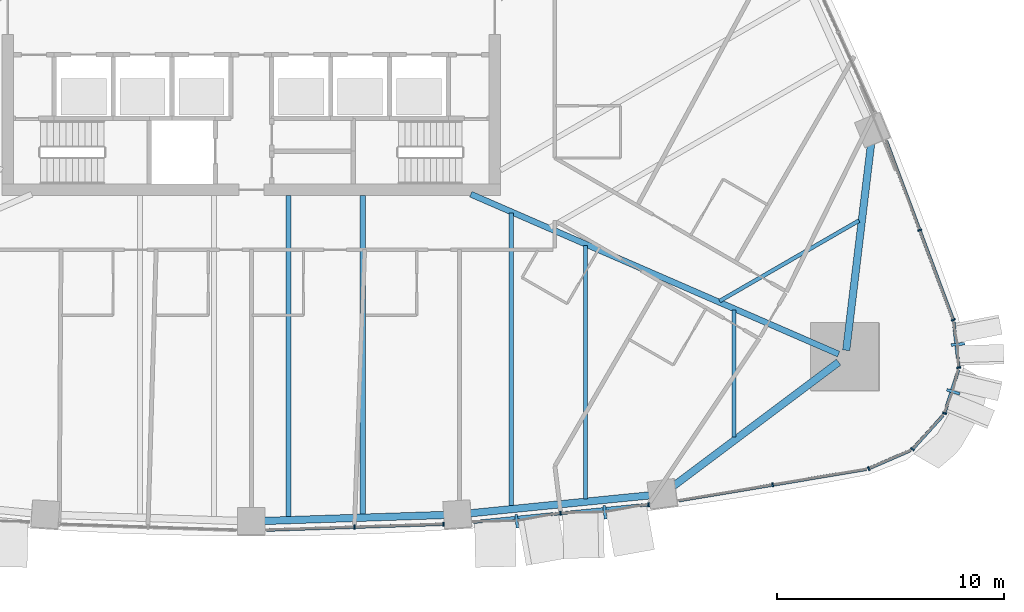
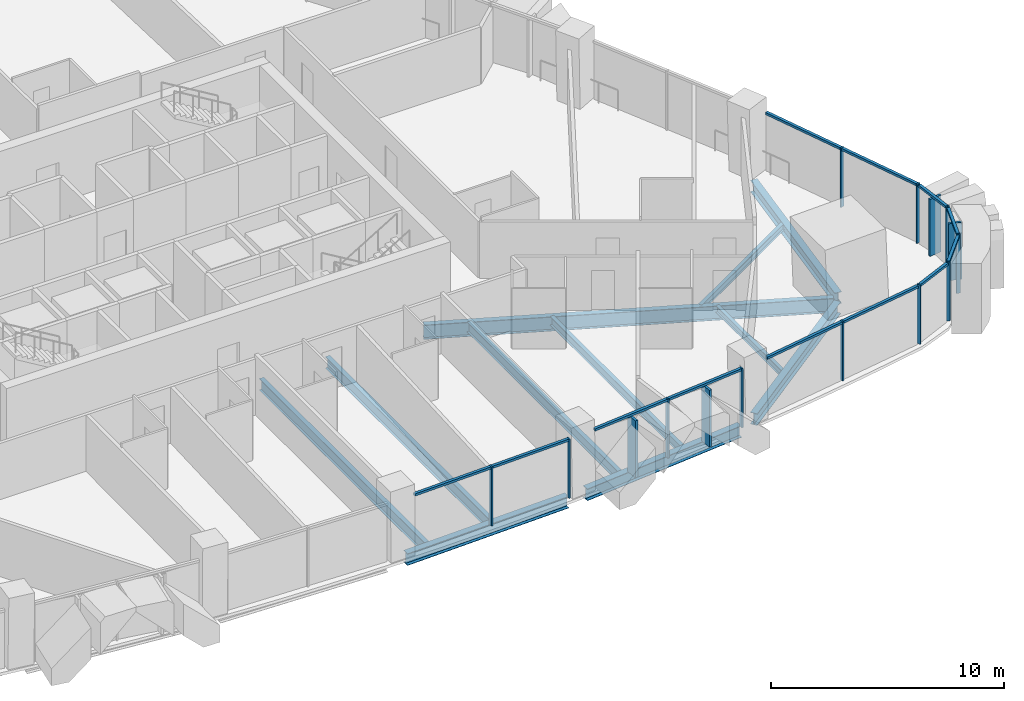
# One storey, part 4 of 18: 27 members, 11 beams, 8 elements without a shape of their own.
"""IFC4 building model written with IfcOpenShell, lengths in metres."""

from ifc_helpers import new_model, si_unit, direction, frame, origin, origin_2d, place, context, subcontext, project, spatial, rectangle, i_section, extrude, material, layer, layer_set, material_profile, profile_set, type_object, element, aggregate, save


model = new_model("IFC4")

# Units and contexts
model_context = context("Model", 3, precision=1e-05, world=origin(), true_north=direction((0.0, 1.0)))
body_context = subcontext(model_context, "Body", "Model", "MODEL_VIEW")
ifc_project = project(units=[si_unit("LENGTHUNIT", "METRE"), si_unit("AREAUNIT", "SQUARE_METRE"), si_unit("VOLUMEUNIT", "CUBIC_METRE"), si_unit("PLANEANGLEUNIT", "RADIAN"), si_unit("MASSUNIT", "GRAM", prefix="KILO")], contexts=[model_context])

# Site, building, storey
site_placement = place(None, origin())
site = spatial("IfcSite", under=ifc_project, at=site_placement, CompositionType="ELEMENT")
building_placement = place(site_placement, origin())
building = spatial("IfcBuilding", under=site, at=building_placement, Name="Sierra Prisma Convention Tower", CompositionType="ELEMENT")
storey_placement = place(building_placement, frame((0.0, 0.0, 81.300048828125)))
storey = spatial("IfcBuildingStorey", under=building, at=storey_placement, Name="L16", CompositionType="ELEMENT", Elevation=81.300048828125)

# Curtain wall, members
ifc_material_1 = material(Name="Aluminium and glass curtain wall", Category="aluminium")
ifc_layer_1 = layer(ifc_material_1, 0.179931640625)
ifc_layer_set_1 = layer_set([ifc_layer_1], Name="CW-2 Faceted crystal curtain wall")
curtain_wall_type_1 = type_object("IfcCurtainWallType", Name="CW-2 Faceted crystal curtain wall", PredefinedType="NOTDEFINED", material=ifc_layer_set_1)
curtain_wall_1_placement = place(storey_placement, origin())
curtain_wall_1 = element("IfcCurtainWall", 1, at=curtain_wall_1_placement, inside=storey, type_object=curtain_wall_type_1, Name="CW-2 S5 L16", PredefinedType="NOTDEFINED")
ifc_material_2 = material(Name="Aluminium 6063-T6 bronze anodised", Category="aluminium")
ifc_material_profile_1 = material_profile(ifc_material_2, rectangle(XDim=0.1201171875, YDim=0.60009765625, at=origin_2d()), Name="ALU RIDGE BLADE 120x600")
ifc_profile_set_1 = profile_set([ifc_material_profile_1], Name="Aluminium 6063-T6 bronze anodised")
member_type_1 = type_object("IfcMemberType", Name="CW hip bronze", PredefinedType="MULLION", material=ifc_profile_set_1)
member_1_placement = place(storey_placement, frame((11.717529296875, -22.38330078125, 0.0), z_axis=(0.0, 0.0, 1.0), x_axis=(0.995057706085, 0.099298346218, 0.0)))
member_1 = element("IfcMember", 2, at=member_1_placement, type_object=member_type_1, Name="CW-2 ridge S5.1", PredefinedType="MULLION", context=body_context, shape_type="SweptSolid", body=[
    extrude(rectangle(XDim=0.1201171875, YDim=0.60009765625, at=origin_2d()), origin(), (0.0, 0.0, 1.0), 2.97998046875),
])
member_2_placement = place(storey_placement, frame((15.606201171875, -21.995361328125, 0.0), z_axis=(0.0, 0.0, 1.0), x_axis=(0.995057706085, 0.099298346218, 0.0)))
member_2 = element("IfcMember", 3, at=member_2_placement, type_object=member_type_1, Name="CW-2 ridge S5.2", PredefinedType="MULLION", context=body_context, shape_type="SweptSolid", body=[
    extrude(rectangle(XDim=0.1201171875, YDim=0.60009765625, at=origin_2d()), origin(), (0.0, 0.0, 1.0), 2.97998046875),
])

# Curtain wall, member
curtain_wall_2_placement = place(storey_placement, origin())
curtain_wall_2 = element("IfcCurtainWall", 4, at=curtain_wall_2_placement, inside=storey, type_object=curtain_wall_type_1, Name="CW-2 SE3 L16", PredefinedType="NOTDEFINED")
member_3_placement = place(storey_placement, frame((30.98388671875, -16.673095703125, 0.0), z_axis=(0.0, 0.0, 1.0), x_axis=(0.30651584087, 0.951865557364, 0.0)))
member_3 = element("IfcMember", 5, at=member_3_placement, type_object=member_type_1, Name="CW-2 ridge SE3.1", PredefinedType="MULLION", context=body_context, shape_type="SweptSolid", body=[
    extrude(rectangle(XDim=0.1201171875, YDim=0.60009765625, at=origin_2d()), origin(), (0.0, 0.0, 1.0), 2.97998046875),
])

curtain_wall_3_placement = place(storey_placement, origin())
curtain_wall_3 = element("IfcCurtainWall", 6, at=curtain_wall_3_placement, inside=storey, type_object=curtain_wall_type_1, Name="CW-2 SE4 L16", PredefinedType="NOTDEFINED")
member_4_placement = place(storey_placement, frame((31.19287109375, -14.578369140625, 0.0), z_axis=(0.0, 0.0, 1.0), x_axis=(-0.11236817626, 0.993666640762, 0.0)))
member_4 = element("IfcMember", 7, at=member_4_placement, type_object=member_type_1, Name="CW-2 ridge SE4.1", PredefinedType="MULLION", context=body_context, shape_type="SweptSolid", body=[
    extrude(rectangle(XDim=0.1201171875, YDim=0.60009765625, at=origin_2d()), origin(), (0.0, 0.0, 1.0), 2.97998046875),
])

# Curtain wall, members
ifc_material_3 = material(Name="Aluminium and glass curtain wall", Category="aluminium")
ifc_layer_2 = layer(ifc_material_3, 0.179931640625)
ifc_layer_set_2 = layer_set([ifc_layer_2], Name="CW-1 Plain shaft curtain wall")
curtain_wall_type_2 = type_object("IfcCurtainWallType", Name="CW-1 Plain shaft curtain wall", PredefinedType="NOTDEFINED", material=ifc_layer_set_2)
curtain_wall_4_placement = place(storey_placement, origin())
curtain_wall_4 = element("IfcCurtainWall", 8, at=curtain_wall_4_placement, inside=storey, type_object=curtain_wall_type_2, Name="CW-1 S4 L16", PredefinedType="NOTDEFINED")
ifc_material_4 = material(Name="Aluminium 6063-T6 bronze anodised", Category="aluminium")
ifc_material_profile_2 = material_profile(ifc_material_4, rectangle(XDim=0.179931640625, YDim=0.070068359375, at=origin_2d()), Name="ALU MULLION 70x180")
ifc_profile_set_2 = profile_set([ifc_material_profile_2], Name="Aluminium 6063-T6 bronze anodised")
member_type_2 = type_object("IfcMemberType", Name="CW mullion bronze", PredefinedType="MULLION", material=ifc_profile_set_2)
member_5_placement = place(storey_placement, frame((4.556640625, -22.641845703125, 0.0), z_axis=(0.0, 0.0, 1.0), x_axis=(-0.033148012377, 0.999450453637, 0.0)))
member_5 = element("IfcMember", 9, at=member_5_placement, type_object=member_type_2, Name="CW-1 mullion S4.2", PredefinedType="MULLION", context=body_context, shape_type="SweptSolid", body=[
    extrude(rectangle(XDim=0.179931640625, YDim=0.070068359375, at=origin_2d()), origin(), (0.0, 0.0, 1.0), 3.099853515625),
])
member_6_placement = place(storey_placement, frame((8.478759765625, -22.51171875, 0.0), z_axis=(0.0, 0.0, 1.0), x_axis=(-0.033148012377, 0.999450453637, 0.0)))
member_6 = element("IfcMember", 10, at=member_6_placement, type_object=member_type_2, Name="CW-1 mullion S4.3", PredefinedType="MULLION", context=body_context, shape_type="SweptSolid", body=[
    extrude(rectangle(XDim=0.179931640625, YDim=0.070068359375, at=origin_2d()), origin(), (0.0, 0.0, 1.0), 3.099853515625),
])

# Member
member_7_placement = place(storey_placement, frame((13.64697265625, -22.0390625, 0.0), z_axis=(0.0, 0.0, 1.0), x_axis=(-0.099298346218, 0.995057706085, 0.0)))
member_7 = element("IfcMember", 11, at=member_7_placement, type_object=member_type_2, Name="CW-1 mullion S5.2", PredefinedType="MULLION", context=body_context, shape_type="SweptSolid", body=[
    extrude(rectangle(XDim=0.179931640625, YDim=0.070068359375, at=origin_2d()), origin(), (0.0, 0.0, 1.0), 3.099853515625),
])

member_8_placement = place(storey_placement, frame((17.53564453125, -21.651123046875, 0.0), z_axis=(0.0, 0.0, 1.0), x_axis=(-0.099298346218, 0.995057706085, 0.0)))
member_8 = element("IfcMember", 12, at=member_8_placement, type_object=member_type_2, Name="CW-1 mullion S5.3", PredefinedType="MULLION", context=body_context, shape_type="SweptSolid", body=[
    extrude(rectangle(XDim=0.179931640625, YDim=0.070068359375, at=origin_2d()), origin(), (0.0, 0.0, 1.0), 3.099853515625),
])

# Curtain wall, member
curtain_wall_5_placement = place(storey_placement, origin())
curtain_wall_5 = element("IfcCurtainWall", 13, at=curtain_wall_5_placement, inside=storey, type_object=curtain_wall_type_2, Name="CW-1 S6 L16", PredefinedType="NOTDEFINED")
member_9_placement = place(storey_placement, frame((23.011474609375, -20.780517578125, 0.0), z_axis=(0.0, 0.0, 1.0), x_axis=(-0.165012247652, 0.986291517821, 0.0)))
member_9 = element("IfcMember", 14, at=member_9_placement, type_object=member_type_2, Name="CW-1 mullion S6.2", PredefinedType="MULLION", context=body_context, shape_type="SweptSolid", body=[
    extrude(rectangle(XDim=0.179931640625, YDim=0.070068359375, at=origin_2d()), origin(), (0.0, 0.0, 1.0), 3.099853515625),
])

curtain_wall_6_placement = place(storey_placement, origin())
curtain_wall_6 = element("IfcCurtainWall", 15, at=curtain_wall_6_placement, inside=storey, type_object=curtain_wall_type_2, Name="CW-1 SE1 L16", PredefinedType="NOTDEFINED")
member_10_placement = place(storey_placement, frame((27.2509765625, -20.062744140625, 0.0), z_axis=(0.0, 0.0, 1.0), x_axis=(-0.399519625163, 0.916724641924, 0.0)))
member_10 = element("IfcMember", 16, at=member_10_placement, type_object=member_type_2, Name="CW-1 mullion SE1.1", PredefinedType="MULLION", context=body_context, shape_type="SweptSolid", body=[
    extrude(rectangle(XDim=0.179931640625, YDim=0.070068359375, at=origin_2d()), origin(), (0.0, 0.0, 1.0), 3.099853515625),
])

curtain_wall_7_placement = place(storey_placement, origin())
curtain_wall_7 = element("IfcCurtainWall", 17, at=curtain_wall_7_placement, inside=storey, type_object=curtain_wall_type_2, Name="CW-1 SE2 L16", PredefinedType="NOTDEFINED")
member_11_placement = place(storey_placement, frame((29.185546875, -19.203857421875, 0.0), z_axis=(0.0, 0.0, 1.0), x_axis=(-0.741383283538, 0.67108183323, 0.0)))
member_11 = element("IfcMember", 18, at=member_11_placement, type_object=member_type_2, Name="CW-1 mullion SE2.1", PredefinedType="MULLION", context=body_context, shape_type="SweptSolid", body=[
    extrude(rectangle(XDim=0.179931640625, YDim=0.070068359375, at=origin_2d()), origin(), (0.0, 0.0, 1.0), 3.099853515625),
])

# Member
member_12_placement = place(storey_placement, frame((30.595458984375, -17.624755859375, 0.0), z_axis=(0.0, 0.0, 1.0), x_axis=(-0.951865557364, 0.30651584087, 0.0)))
member_12 = element("IfcMember", 19, at=member_12_placement, type_object=member_type_2, Name="CW-1 mullion SE3.1", PredefinedType="MULLION", context=body_context, shape_type="SweptSolid", body=[
    extrude(rectangle(XDim=0.179931640625, YDim=0.070068359375, at=origin_2d()), origin(), (0.0, 0.0, 1.0), 3.099853515625),
])

member_13_placement = place(storey_placement, frame((31.23046875, -15.60546875, 0.0), z_axis=(0.0, 0.0, 1.0), x_axis=(-0.993666640762, -0.11236817626, 0.0)))
member_13 = element("IfcMember", 20, at=member_13_placement, type_object=member_type_2, Name="CW-1 mullion SE4.1", PredefinedType="MULLION", context=body_context, shape_type="SweptSolid", body=[
    extrude(rectangle(XDim=0.179931640625, YDim=0.070068359375, at=origin_2d()), origin(), (0.0, 0.0, 1.0), 3.099853515625),
])

# Curtain wall, members
curtain_wall_8_placement = place(storey_placement, origin())
curtain_wall_8 = element("IfcCurtainWall", 21, at=curtain_wall_8_placement, inside=storey, type_object=curtain_wall_type_2, Name="CW-1 NE1 L16", PredefinedType="NOTDEFINED")
member_14_placement = place(storey_placement, frame((30.984130859375, -13.5009765625, 0.0), z_axis=(0.0, 0.0, 1.0), x_axis=(-0.936659633796, -0.350240960509, 0.0)))
member_14 = element("IfcMember", 22, at=member_14_placement, type_object=member_type_2, Name="CW-1 mullion NE1.1", PredefinedType="MULLION", context=body_context, shape_type="SweptSolid", body=[
    extrude(rectangle(XDim=0.179931640625, YDim=0.070068359375, at=origin_2d()), origin(), (0.0, 0.0, 1.0), 3.099853515625),
])
member_15_placement = place(storey_placement, frame((29.502197265625, -9.538330078125, 0.0), z_axis=(0.0, 0.0, 1.0), x_axis=(-0.936659633796, -0.350240960509, 0.0)))
member_15 = element("IfcMember", 23, at=member_15_placement, type_object=member_type_2, Name="CW-1 mullion NE1.2", PredefinedType="MULLION", context=body_context, shape_type="SweptSolid", body=[
    extrude(rectangle(XDim=0.179931640625, YDim=0.070068359375, at=origin_2d()), origin(), (0.0, 0.0, 1.0), 3.099853515625),
])

# Member
ifc_material_5 = material(Name="Aluminium 6063-T6 bronze anodised", Category="aluminium")
ifc_material_profile_3 = material_profile(ifc_material_5, rectangle(XDim=0.139892578125, YDim=0.1201171875, at=origin_2d()), Name="ALU TRANSOM 120x140")
ifc_profile_set_3 = profile_set([ifc_material_profile_3], Name="Aluminium 6063-T6 bronze anodised")
member_type_3 = type_object("IfcMemberType", Name="CW transom bronze", PredefinedType="USERDEFINED", material=ifc_profile_set_3)
member_16_placement = place(storey_placement, frame((0.669677734375, -22.770751953125, 3.0400390625), z_axis=(0.999448977161, 0.033192499939, 0.0), x_axis=(-0.033192499939, 0.999448977161, 0.0)))
member_16 = element("IfcMember", 24, at=member_16_placement, type_object=member_type_3, Name="CW-1 transom S4.1", ObjectType="TRANSOM", PredefinedType="USERDEFINED", context=body_context, shape_type="SweptSolid", body=[
    extrude(rectangle(XDim=0.139892578125, YDim=0.1201171875, at=origin_2d()), origin(), (0.0, 0.0, 1.0), 3.854248046875),
])

member_17_placement = place(storey_placement, frame((4.591796875, -22.640625, 3.0400390625), z_axis=(0.999448977161, 0.033192499939, 0.0), x_axis=(-0.033192499939, 0.999448977161, 0.0)))
member_17 = element("IfcMember", 25, at=member_17_placement, type_object=member_type_3, Name="CW-1 transom S4.2", ObjectType="TRANSOM", PredefinedType="USERDEFINED", context=body_context, shape_type="SweptSolid", body=[
    extrude(rectangle(XDim=0.139892578125, YDim=0.1201171875, at=origin_2d()), origin(), (0.0, 0.0, 1.0), 3.854248046875),
])

aggregate(curtain_wall_4, [member_5, member_6, member_16, member_17])

member_18_placement = place(storey_placement, frame((9.79296875, -22.423583984375, 3.0400390625), z_axis=(0.99505795211, 0.099295880793, 0.0), x_axis=(-0.099295880793, 0.99505795211, 0.0)))
member_18 = element("IfcMember", 26, at=member_18_placement, type_object=member_type_3, Name="CW-1 transom S5.1", ObjectType="TRANSOM", PredefinedType="USERDEFINED", context=body_context, shape_type="SweptSolid", body=[
    extrude(rectangle(XDim=0.139892578125, YDim=0.1201171875, at=origin_2d()), origin(), (0.0, 0.0, 1.0), 3.838134765625),
])

member_19_placement = place(storey_placement, frame((13.681640625, -22.03564453125, 3.0400390625), z_axis=(0.99505795211, 0.099295880793, 0.0), x_axis=(-0.099295880793, 0.99505795211, 0.0)))
member_19 = element("IfcMember", 27, at=member_19_placement, type_object=member_type_3, Name="CW-1 transom S5.2", ObjectType="TRANSOM", PredefinedType="USERDEFINED", context=body_context, shape_type="SweptSolid", body=[
    extrude(rectangle(XDim=0.139892578125, YDim=0.1201171875, at=origin_2d()), origin(), (0.0, 0.0, 1.0), 3.838134765625),
])

aggregate(curtain_wall_1, [member_7, member_8, member_18, member_1, member_19, member_2])

member_20_placement = place(storey_placement, frame((18.87353515625, -21.472900390625, 3.0400390625), z_axis=(0.986292235416, 0.165007958471, 0.0), x_axis=(-0.165007958471, 0.986292235416, 0.0)))
member_20 = element("IfcMember", 28, at=member_20_placement, type_object=member_type_3, Name="CW-1 transom S6.1", ObjectType="TRANSOM", PredefinedType="USERDEFINED", context=body_context, shape_type="SweptSolid", body=[
    extrude(rectangle(XDim=0.139892578125, YDim=0.1201171875, at=origin_2d()), origin(), (0.0, 0.0, 1.0), 4.16064453125),
])

member_21_placement = place(storey_placement, frame((23.046142578125, -20.774658203125, 3.0400390625), z_axis=(0.986292235416, 0.165007958471, 0.0), x_axis=(-0.165007958471, 0.986292235416, 0.0)))
member_21 = element("IfcMember", 29, at=member_21_placement, type_object=member_type_3, Name="CW-1 transom S6.2", ObjectType="TRANSOM", PredefinedType="USERDEFINED", context=body_context, shape_type="SweptSolid", body=[
    extrude(rectangle(XDim=0.139892578125, YDim=0.1201171875, at=origin_2d()), origin(), (0.0, 0.0, 1.0), 4.16064453125),
])

aggregate(curtain_wall_5, [member_9, member_20, member_21])

member_22_placement = place(storey_placement, frame((27.282958984375, -20.048583984375, 3.0400390625), z_axis=(0.916761972761, 0.399433956117, 0.0), x_axis=(-0.399433956117, 0.916761972761, 0.0)))
member_22 = element("IfcMember", 30, at=member_22_placement, type_object=member_type_3, Name="CW-1 transom SE1.1", ObjectType="TRANSOM", PredefinedType="USERDEFINED", context=body_context, shape_type="SweptSolid", body=[
    extrude(rectangle(XDim=0.139892578125, YDim=0.1201171875, at=origin_2d()), origin(), (0.0, 0.0, 1.0), 1.979736328125),
])

aggregate(curtain_wall_6, [member_10, member_22])

member_23_placement = place(storey_placement, frame((29.208984375, -19.177734375, 3.0400390625), z_axis=(0.671155441819, 0.741316648212, 0.0), x_axis=(-0.741316648212, 0.671155441819, 0.0)))
member_23 = element("IfcMember", 31, at=member_23_placement, type_object=member_type_3, Name="CW-1 transom SE2.1", ObjectType="TRANSOM", PredefinedType="USERDEFINED", context=body_context, shape_type="SweptSolid", body=[
    extrude(rectangle(XDim=0.139892578125, YDim=0.1201171875, at=origin_2d()), origin(), (0.0, 0.0, 1.0), 1.97998046875),
])

aggregate(curtain_wall_7, [member_11, member_23])

member_24_placement = place(storey_placement, frame((30.606201171875, -17.591552734375, 3.0400390625), z_axis=(0.306555983642, 0.951852629819, 0.0), x_axis=(-0.951852629819, 0.306555983642, 0.0)))
member_24 = element("IfcMember", 32, at=member_24_placement, type_object=member_type_3, Name="CW-1 transom SE3.1", ObjectType="TRANSOM", PredefinedType="USERDEFINED", context=body_context, shape_type="SweptSolid", body=[
    extrude(rectangle(XDim=0.139892578125, YDim=0.1201171875, at=origin_2d()), origin(), (0.0, 0.0, 1.0), 1.979736328125),
])

aggregate(curtain_wall_2, [member_12, member_24, member_3])

member_25_placement = place(storey_placement, frame((31.2265625, -15.57080078125, 3.0400390625), z_axis=(-0.112339692694, 0.993669861395, 0.0), x_axis=(-0.993669861395, -0.112339692694, 0.0)))
member_25 = element("IfcMember", 33, at=member_25_placement, type_object=member_type_3, Name="CW-1 transom SE4.1", ObjectType="TRANSOM", PredefinedType="USERDEFINED", context=body_context, shape_type="SweptSolid", body=[
    extrude(rectangle(XDim=0.139892578125, YDim=0.1201171875, at=origin_2d()), origin(), (0.0, 0.0, 1.0), 1.979736328125),
])

aggregate(curtain_wall_3, [member_13, member_25, member_4])

member_26_placement = place(storey_placement, frame((30.9716796875, -13.46826171875, 3.0400390625), z_axis=(-0.350190848506, 0.936678370425, 0.0), x_axis=(-0.936678370425, -0.350190848506, 0.0)))
member_26 = element("IfcMember", 34, at=member_26_placement, type_object=member_type_3, Name="CW-1 transom NE1.1", ObjectType="TRANSOM", PredefinedType="USERDEFINED", context=body_context, shape_type="SweptSolid", body=[
    extrude(rectangle(XDim=0.139892578125, YDim=0.1201171875, at=origin_2d()), origin(), (0.0, 0.0, 1.0), 4.16064453125),
])

member_27_placement = place(storey_placement, frame((29.489990234375, -9.505615234375, 3.0400390625), z_axis=(-0.350242329103, 0.936659122042, 0.0), x_axis=(-0.936659122042, -0.350242329103, 0.0)))
member_27 = element("IfcMember", 35, at=member_27_placement, type_object=member_type_3, Name="CW-1 transom NE1.2", ObjectType="TRANSOM", PredefinedType="USERDEFINED", context=body_context, shape_type="SweptSolid", body=[
    extrude(rectangle(XDim=0.139892578125, YDim=0.1201171875, at=origin_2d()), origin(), (0.0, 0.0, 1.0), 4.16064453125),
])

aggregate(curtain_wall_8, [member_14, member_15, member_26, member_27])

# Beams
ifc_material_6 = material(Name="Steel ASTM A992 Gr 50", Category="steel")
ifc_material_profile_4 = material_profile(ifc_material_6, i_section(OverallWidth=0.172119140625, OverallDepth=0.35791015625, WebThickness=0.0078125, FlangeThickness=0.01318359375, at=origin_2d()), Name="W360x57")
ifc_profile_set_4 = profile_set([ifc_material_profile_4], Name="Steel ASTM A992 Gr 50")
beam_type_1 = type_object("IfcBeamType", Name="Floor joist W360x57", PredefinedType="JOIST", material=ifc_profile_set_4)
beam_1_placement = place(storey_placement, frame((21.306640625, -18.674072265625, -0.3291015625), z_axis=(0.0, 1.0, 0.0), x_axis=(-1.0, 0.0, 0.0)))
element("IfcBeam", 36, at=beam_1_placement, inside=storey, type_object=beam_type_1, Name="Floor joist L16 S15", PredefinedType="JOIST", context=body_context, shape_type="SweptSolid", body=[
    extrude(i_section(OverallWidth=0.172119140625, OverallDepth=0.35791015625, WebThickness=0.0078125, FlangeThickness=0.01318359375, at=origin_2d()), origin(), (0.0, 0.0, 1.0), 5.61376953125),
])
beam_2_placement = place(storey_placement, frame((26.82568359375, -9.115234375, -0.3291015625), z_axis=(-0.866031695205, -0.499989102781, 0.0), x_axis=(0.499989102781, -0.866031695205, 0.0)))
element("IfcBeam", 37, at=beam_2_placement, inside=storey, type_object=beam_type_1, Name="Floor joist L16 NE02", PredefinedType="JOIST", context=body_context, shape_type="SweptSolid", body=[
    extrude(i_section(OverallWidth=0.172119140625, OverallDepth=0.35791015625, WebThickness=0.0078125, FlangeThickness=0.01318359375, at=origin_2d()), origin(), (0.0, 0.0, 1.0), 7.106689453125),
])
ifc_material_7 = material(Name="Steel ASTM A992 Gr 50", Category="steel")
ifc_material_profile_5 = material_profile(ifc_material_7, i_section(OverallWidth=0.18994140625, OverallDepth=0.45703125, WebThickness=0.009033203125, FlangeThickness=0.014404296875, at=origin_2d()), Name="W460x74")
ifc_profile_set_5 = profile_set([ifc_material_profile_5], Name="Steel ASTM A992 Gr 50")
beam_type_2 = type_object("IfcBeamType", Name="Floor joist W460x74", PredefinedType="JOIST", material=ifc_profile_set_5)
beam_3_placement = place(storey_placement, frame((14.750732421875, -21.413818359375, -0.378662109375), z_axis=(0.0, 1.0, 0.0), x_axis=(-1.0, 0.0, 0.0)))
element("IfcBeam", 38, at=beam_3_placement, inside=storey, type_object=beam_type_2, Name="Floor joist L16 S13", PredefinedType="JOIST", context=body_context, shape_type="SweptSolid", body=[
    extrude(i_section(OverallWidth=0.18994140625, OverallDepth=0.45703125, WebThickness=0.009033203125, FlangeThickness=0.014404296875, at=origin_2d()), origin(), (0.0, 0.0, 1.0), 11.20361328125),
])
ifc_material_8 = material(Name="Steel ASTM A992 Gr 50", Category="steel")
ifc_material_profile_6 = material_profile(ifc_material_8, i_section(OverallWidth=0.208984375, OverallDepth=0.532958984375, WebThickness=0.01025390625, FlangeThickness=0.015625, at=origin_2d()), Name="W530x92")
ifc_profile_set_6 = profile_set([ifc_material_profile_6], Name="Steel ASTM A992 Gr 50")
beam_type_3 = type_object("IfcBeamType", Name="Floor joist W530x92", PredefinedType="JOIST", material=ifc_profile_set_6)
beam_4_placement = place(storey_placement, frame((11.472900390625, -21.740966796875, -0.41650390625), z_axis=(0.0, 1.0, 0.0), x_axis=(-1.0, 0.0, 0.0)))
element("IfcBeam", 39, at=beam_4_placement, inside=storey, type_object=beam_type_3, Name="Floor joist L16 S12", PredefinedType="JOIST", context=body_context, shape_type="SweptSolid", body=[
    extrude(i_section(OverallWidth=0.208984375, OverallDepth=0.532958984375, WebThickness=0.01025390625, FlangeThickness=0.015625, at=origin_2d()), origin(), (0.0, 0.0, 1.0), 12.955810546875),
])
ifc_material_9 = material(Name="Steel ASTM A992 Gr 50", Category="steel")
ifc_material_profile_7 = material_profile(ifc_material_9, i_section(OverallWidth=0.22802734375, OverallDepth=0.60302734375, WebThickness=0.010498046875, FlangeThickness=0.014892578125, at=origin_2d()), Name="W610x101")
ifc_profile_set_7 = profile_set([ifc_material_profile_7], Name="Steel ASTM A992 Gr 50")
beam_type_4 = type_object("IfcBeamType", Name="Floor joist W610x101", PredefinedType="JOIST", material=ifc_profile_set_7)
beam_5_placement = place(storey_placement, frame((1.638916015625, -22.225830078125, -0.45166015625), z_axis=(0.0, 1.0, 0.0), x_axis=(-1.0, 0.0, 0.0)))
element("IfcBeam", 40, at=beam_5_placement, inside=storey, type_object=beam_type_4, Name="Floor joist L16 S09", PredefinedType="JOIST", context=body_context, shape_type="SweptSolid", body=[
    extrude(i_section(OverallWidth=0.22802734375, OverallDepth=0.60302734375, WebThickness=0.010498046875, FlangeThickness=0.014892578125, at=origin_2d()), origin(), (0.0, 0.0, 1.0), 14.225830078125),
])
beam_6_placement = place(storey_placement, frame((4.9169921875, -22.1171875, -0.45166015625), z_axis=(0.0, 1.0, 0.0), x_axis=(-1.0, 0.0, 0.0)))
element("IfcBeam", 41, at=beam_6_placement, inside=storey, type_object=beam_type_4, Name="Floor joist L16 S10", PredefinedType="JOIST", context=body_context, shape_type="SweptSolid", body=[
    extrude(i_section(OverallWidth=0.22802734375, OverallDepth=0.60302734375, WebThickness=0.010498046875, FlangeThickness=0.014892578125, at=origin_2d()), origin(), (0.0, 0.0, 1.0), 14.1171875),
])
ifc_material_10 = material(Name="Steel ASTM A992 Gr 50", Category="steel")
ifc_material_profile_8 = material_profile(ifc_material_10, i_section(OverallWidth=0.264892578125, OverallDepth=0.7529296875, WebThickness=0.01318359375, FlangeThickness=0.01708984375, at=origin_2d()), Name="W760x147")
ifc_profile_set_8 = profile_set([ifc_material_profile_8], Name="Steel ASTM A992 Gr 50")
beam_type_5 = type_object("IfcBeamType", Name="Radial girder W760x147", PredefinedType="BEAM", material=ifc_profile_set_8)
beam_7_placement = place(storey_placement, frame((25.923583984375, -15.009765625, -0.526611328125), z_axis=(-0.917080142415, 0.398702912441, 0.0), x_axis=(-0.398702912441, -0.917080142415, 0.0)))
element("IfcBeam", 42, at=beam_7_placement, inside=storey, type_object=beam_type_5, Name="Radial girder L16 SE", PredefinedType="BEAM", context=body_context, shape_type="SweptSolid", body=[
    extrude(i_section(OverallWidth=0.264892578125, OverallDepth=0.7529296875, WebThickness=0.01318359375, FlangeThickness=0.01708984375, at=origin_2d()), origin(), (0.0, 0.0, 1.0), 17.701416015625),
])
ifc_material_11 = material(Name="Steel ASTM A992 Gr 50", Category="steel")
ifc_material_profile_9 = material_profile(ifc_material_11, i_section(OverallWidth=0.324951171875, OverallDepth=0.615966796875, WebThickness=0.013916015625, FlangeThickness=0.021484375, at=origin_2d()), Name="W610x174")
ifc_profile_set_9 = profile_set([ifc_material_profile_9], Name="Steel ASTM A992 Gr 50")
beam_type_6 = type_object("IfcBeamType", Name="Spandrel beam W610x174", PredefinedType="BEAM", material=ifc_profile_set_9)
beam_8_placement = place(storey_placement, frame((0.47998046875, -22.376953125, -0.4580078125), z_axis=(0.999450250592, 0.033154133864, 0.0), x_axis=(-0.033154133864, 0.999450250592, 0.0)))
element("IfcBeam", 43, at=beam_8_placement, inside=storey, type_object=beam_type_6, Name="Spandrel L16-04", PredefinedType="BEAM", context=body_context, shape_type="SweptSolid", body=[
    extrude(i_section(OverallWidth=0.324951171875, OverallDepth=0.615966796875, WebThickness=0.013916015625, FlangeThickness=0.021484375, at=origin_2d()), origin(), (0.0, 0.0, 1.0), 8.144287109375),
])
beam_9_placement = place(storey_placement, frame((9.577880859375, -22.043212890625, -0.4580078125), z_axis=(0.995058833867, 0.099287044189, 0.0), x_axis=(-0.099287044189, 0.995058833867, 0.0)))
element("IfcBeam", 44, at=beam_9_placement, inside=storey, type_object=beam_type_6, Name="Spandrel L16-05", PredefinedType="BEAM", context=body_context, shape_type="SweptSolid", body=[
    extrude(i_section(OverallWidth=0.324951171875, OverallDepth=0.615966796875, WebThickness=0.013916015625, FlangeThickness=0.021484375, at=origin_2d()), origin(), (0.0, 0.0, 1.0), 8.14404296875),
])
beam_10_placement = place(storey_placement, frame((18.614013671875, -20.846435546875, -0.4580078125), z_axis=(0.80005130297, 0.599931589946, 0.0), x_axis=(-0.599931589946, 0.80005130297, 0.0)))
element("IfcBeam", 45, at=beam_10_placement, inside=storey, type_object=beam_type_6, Name="Spandrel L16-06", PredefinedType="BEAM", context=body_context, shape_type="SweptSolid", body=[
    extrude(i_section(OverallWidth=0.324951171875, OverallDepth=0.615966796875, WebThickness=0.013916015625, FlangeThickness=0.021484375, at=origin_2d()), origin(), (0.0, 0.0, 1.0), 9.136474609375),
])
beam_11_placement = place(storey_placement, frame((26.259765625, -14.84033203125, -0.4580078125), z_axis=(0.11950795072, 0.992833243659, 0.0), x_axis=(-0.992833243659, 0.11950795072, 0.0)))
element("IfcBeam", 46, at=beam_11_placement, inside=storey, type_object=beam_type_6, Name="Spandrel L16-07", PredefinedType="BEAM", context=body_context, shape_type="SweptSolid", body=[
    extrude(i_section(OverallWidth=0.324951171875, OverallDepth=0.615966796875, WebThickness=0.013916015625, FlangeThickness=0.021484375, at=origin_2d()), origin(), (0.0, 0.0, 1.0), 9.209228515625),
])

save(model, "model.ifc")
